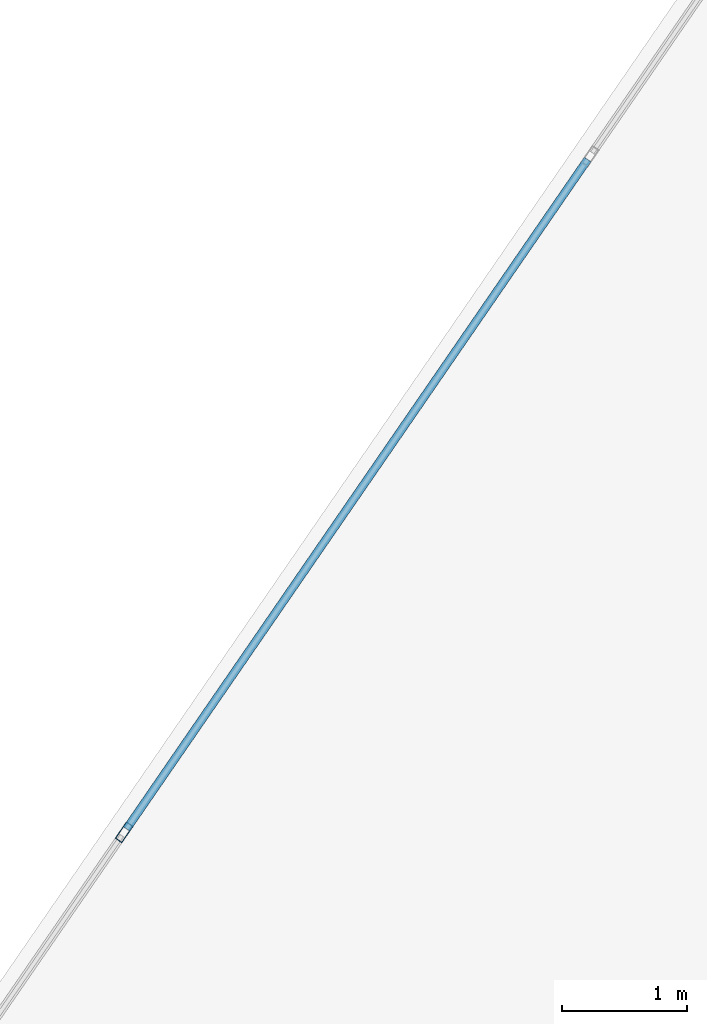
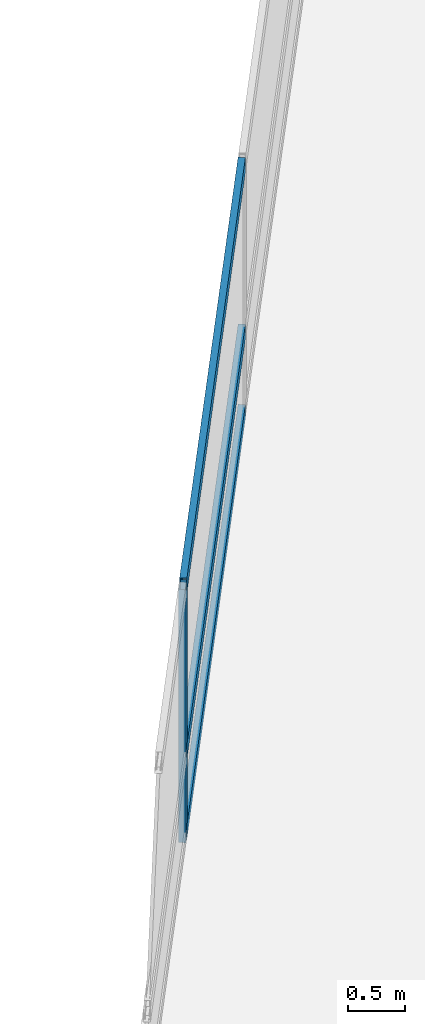
# One storey, part 15 of 27: 4 members, 1 element without a shape of its own.
"""IFC4 building model written with IfcOpenShell, lengths in metres."""

from ifc_helpers import new_model, si_unit, direction, frame, origin, origin_2d, place, context, subcontext, project, spatial, hollow_rectangle, extrude, material, layer, layer_set, material_profile, profile_set, type_object, element, aggregate, save


model = new_model("IFC4")

# Units and contexts
model_context = context("Model", 3, precision=1e-05, world=origin(), true_north=direction((0.0, 1.0)))
body_context = subcontext(model_context, "Body", "Model", "MODEL_VIEW")
ifc_project = project(units=[si_unit("LENGTHUNIT", "METRE"), si_unit("AREAUNIT", "SQUARE_METRE"), si_unit("VOLUMEUNIT", "CUBIC_METRE"), si_unit("PLANEANGLEUNIT", "RADIAN"), si_unit("MASSUNIT", "GRAM", prefix="KILO")], contexts=[model_context])

# Site, building, storey
site_placement = place(None, origin())
site = spatial("IfcSite", under=ifc_project, at=site_placement, CompositionType="ELEMENT")
building_placement = place(site_placement, origin())
building = spatial("IfcBuilding", under=site, at=building_placement, Name="Varnelok Gate Tower", CompositionType="ELEMENT")
storey_placement = place(building_placement, frame((0.0, 0.0, 60.300048828125)))
storey = spatial("IfcBuildingStorey", under=building, at=storey_placement, Name="L14", CompositionType="ELEMENT", Elevation=60.300048828125)

# Curtain wall, members
ifc_material = material(Name="Anodized Aluminum Alloy 6063-T6", Category="aluminium")
ifc_layer = layer(ifc_material, 0.179931640625)
ifc_layer_set = layer_set([ifc_layer], Name="Anodized Aluminum Alloy 6063-T6")
curtain_wall_type = type_object("IfcCurtainWallType", Name="CW3-HOTEL-VISION", PredefinedType="USERDEFINED", material=ifc_layer_set)
curtain_wall_placement = place(storey_placement, origin())
curtain_wall = element("IfcCurtainWall", 1, at=curtain_wall_placement, inside=storey, type_object=curtain_wall_type, Name="L14 West End Vision Curtain Wall", ObjectType="UNITISED CURTAIN WALL", PredefinedType="USERDEFINED")
ifc_material_profile_1 = material_profile(ifc_material, hollow_rectangle(XDim=0.06494140625, YDim=0.159912109375, WallThickness=0.00390625, at=origin_2d()), Name="ALU160X65X4")
ifc_profile_set_1 = profile_set([ifc_material_profile_1], Name="Anodized Aluminum Alloy 6063-T6")
member_type_1 = type_object("IfcMemberType", Name="CW-MULL-160", PredefinedType="MULLION", material=ifc_profile_set_1)
member_1_placement = place(storey_placement, frame((10.7578125, 52.865478515625, 0.0), z_axis=(0.0, 0.0, 1.0), x_axis=(-0.823532685111, 0.567268822124, 0.0)))
member_1 = element("IfcMember", 2, at=member_1_placement, type_object=member_type_1, Name="CW3 mullion 5", PredefinedType="MULLION", context=body_context, shape_type="SweptSolid", body=[
    extrude(hollow_rectangle(XDim=0.06494140625, YDim=0.159912109375, WallThickness=0.00390625, at=origin_2d()), origin(), (0.0, 0.0, 1.0), 2.72998046875),
])
ifc_material_profile_2 = material_profile(ifc_material, hollow_rectangle(XDim=0.06494140625, YDim=0.159912109375, WallThickness=0.00390625, at=origin_2d()), Name="ALU160X65X4")
ifc_profile_set_2 = profile_set([ifc_material_profile_2], Name="Anodized Aluminum Alloy 6063-T6")
member_type_2 = type_object("IfcMemberType", Name="CW-TRAN-160", PredefinedType="USERDEFINED", material=ifc_profile_set_2)
member_2_placement = place(storey_placement, frame((10.7763671875, 52.89208984375, 0.032470703125), z_axis=(0.567261662339, 0.823537616894, 0.0), x_axis=(-0.823537616894, 0.567261662339, 0.0)))
member_2 = element("IfcMember", 3, at=member_2_placement, type_object=member_type_2, Name="CW3 transom 5.1", ObjectType="TRANSOM", PredefinedType="USERDEFINED", context=body_context, shape_type="SweptSolid", body=[
    extrude(hollow_rectangle(XDim=0.06494140625, YDim=0.159912109375, WallThickness=0.00390625, at=origin_2d()), origin(), (0.0, 0.0, 1.0), 6.501708984375),
])
member_3_placement = place(storey_placement, frame((10.7763671875, 52.89208984375, 0.89990234375), z_axis=(0.567261662339, 0.823537616894, 0.0), x_axis=(-0.823537616894, 0.567261662339, 0.0)))
member_3 = element("IfcMember", 4, at=member_3_placement, type_object=member_type_2, Name="CW3 transom 5.2", ObjectType="TRANSOM", PredefinedType="USERDEFINED", context=body_context, shape_type="SweptSolid", body=[
    extrude(hollow_rectangle(XDim=0.06494140625, YDim=0.159912109375, WallThickness=0.00390625, at=origin_2d()), origin(), (0.0, 0.0, 1.0), 6.501708984375),
])
member_4_placement = place(storey_placement, frame((10.7763671875, 52.89208984375, 2.697509765625), z_axis=(0.567261662339, 0.823537616894, 0.0), x_axis=(-0.823537616894, 0.567261662339, 0.0)))
member_4 = element("IfcMember", 5, at=member_4_placement, type_object=member_type_2, Name="CW3 transom 5.3", ObjectType="TRANSOM", PredefinedType="USERDEFINED", context=body_context, shape_type="SweptSolid", body=[
    extrude(hollow_rectangle(XDim=0.06494140625, YDim=0.159912109375, WallThickness=0.00390625, at=origin_2d()), origin(), (0.0, 0.0, 1.0), 6.501708984375),
])
aggregate(curtain_wall, [member_1, member_2, member_3, member_4])

save(model, "model.ifc")
